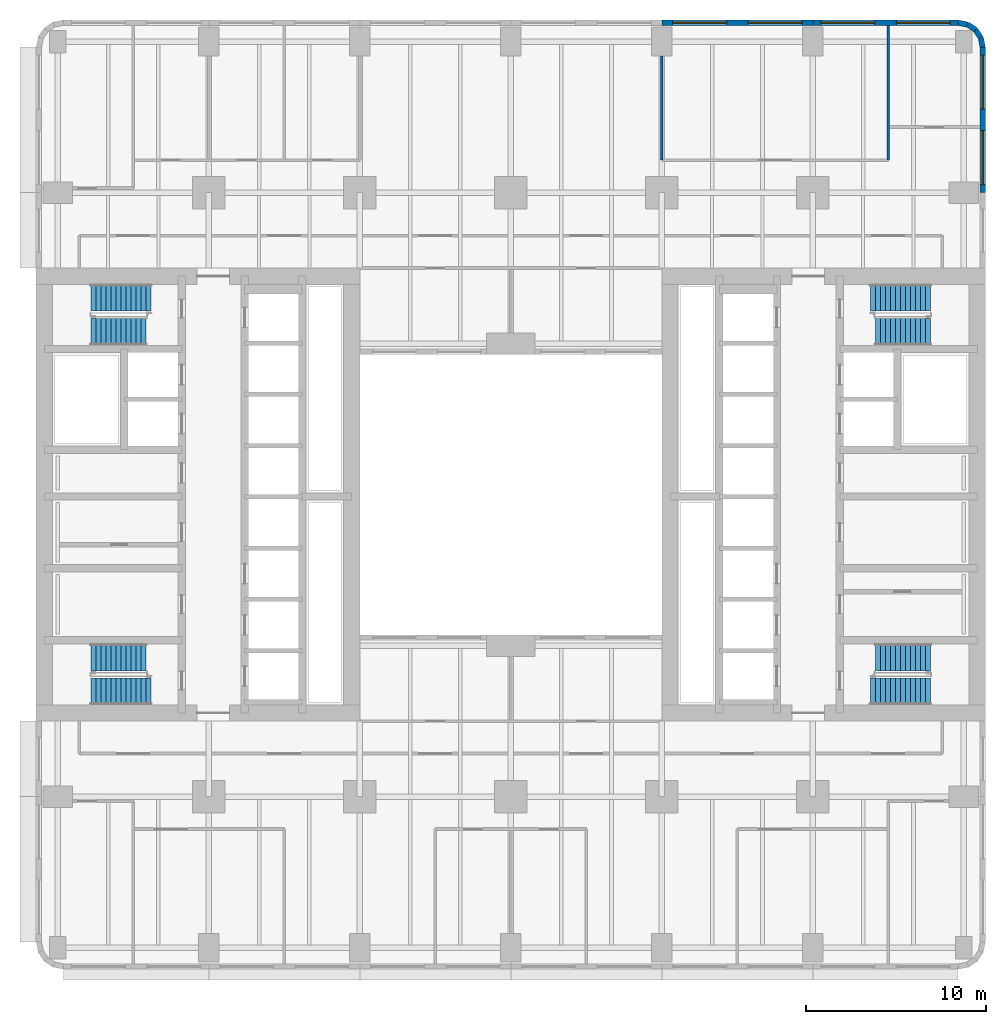
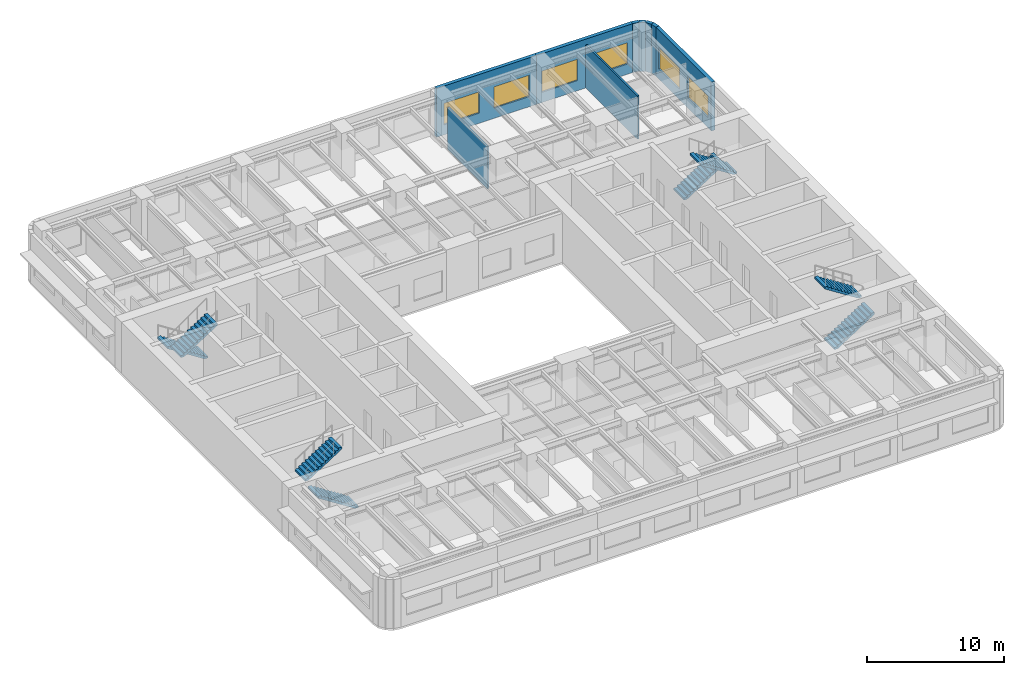
# One storey, part 8 of 14: 9 walls, 8 stair flights, 6 windows, 6 openings, 4 elements without a shape of their own.
"""IFC4 building model written with IfcOpenShell, lengths in metres."""

from ifc_helpers import new_model, si_unit, direction, frame, frame_2d, origin, place, context, subcontext, project, spatial, polyline, rectangle, outline, extrude, material, layer, layer_set, type_object, element, fill, aggregate, save


model = new_model("IFC4")

# Units and contexts
model_context = context("Model", 3, precision=1e-05, world=origin(), true_north=direction((0.0, 1.0)))
body_context = subcontext(model_context, "Body", "Model", "MODEL_VIEW")
ifc_project = project(units=[si_unit("LENGTHUNIT", "METRE"), si_unit("AREAUNIT", "SQUARE_METRE"), si_unit("VOLUMEUNIT", "CUBIC_METRE"), si_unit("PLANEANGLEUNIT", "RADIAN"), si_unit("MASSUNIT", "GRAM", prefix="KILO")], contexts=[model_context])

# Site, building, storey
site_placement = place(None, origin())
site = spatial("IfcSite", under=ifc_project, at=site_placement, CompositionType="ELEMENT")
building_placement = place(site_placement, origin())
building = spatial("IfcBuilding", under=site, at=building_placement, Name="Claustro Exchange Tower", CompositionType="ELEMENT")
storey_placement = place(building_placement, frame((0.0, 0.0, 77.39990234375)))
storey = spatial("IfcBuildingStorey", under=building, at=storey_placement, Name="L17", CompositionType="ELEMENT", Elevation=77.39990234375)

# Walls
ifc_material_1 = material(Name="Gypsum board on steel studs", Category="steel")
ifc_layer_1 = layer(ifc_material_1, 0.14990234375)
ifc_layer_set_1 = layer_set([ifc_layer_1], Name="Gypsum board on steel studs")
wall_type_1 = type_object("IfcWallType", Name="P1 150 plasterboard partition", PredefinedType="PARTITIONING", material=ifc_layer_set_1)
wall_1_placement = place(storey_placement, frame((33.60009765625, 43.800048828125, 0.0), z_axis=(0.0, 0.0, 1.0), x_axis=(0.0, 1.0, 0.0)))
element("IfcWall", 1, at=wall_1_placement, inside=storey, type_object=wall_type_1, Name="Partition P1 L17", PredefinedType="PARTITIONING", context=body_context, shape_type="SweptSolid", body=[
    extrude(rectangle(XDim=5.801025390625, YDim=0.14990234375, at=frame_2d((2.900390625, 0.0))), origin(), (0.0, 0.0, 1.0), 3.739990234375),
])
wall_2_placement = place(storey_placement, frame((46.199951171875, 43.800048828125, 0.0), z_axis=(0.0, 0.0, 1.0), x_axis=(0.0, 1.0, 0.0)))
element("IfcWall", 2, at=wall_2_placement, inside=storey, type_object=wall_type_1, Name="Partition P1 L17", PredefinedType="PARTITIONING", context=body_context, shape_type="SweptSolid", body=[
    extrude(rectangle(XDim=7.501953125, YDim=0.14990234375, at=frame_2d((3.7509765625, 0.0))), origin(), (0.0, 0.0, 1.0), 3.840087890625),
])

# Wall, openings, windows
ifc_material_2 = material(Name="Concrete HA-40 (C40/50), precast, white cement, acid-etched", Category="concrete")
ifc_layer_2 = layer(ifc_material_2, 0.300048828125)
ifc_layer_set_2 = layer_set([ifc_layer_2], Name="Concrete HA-40 (C40/50), precast, white cement, acid-etched")
wall_type_2 = type_object("IfcWallType", Name="PC1 300 precast concrete pier panel", PredefinedType="SOLIDWALL", material=ifc_layer_set_2)
wall_3_placement = place(storey_placement, frame((33.60009765625, 51.449951171875, 0.0), z_axis=(0.0, 0.0, 1.0), x_axis=(1.0, 0.0, 0.0)))
wall_3 = element("IfcWall", 3, at=wall_3_placement, inside=storey, type_object=wall_type_2, Name="Precast pier panel PC1 L17", PredefinedType="SOLIDWALL", context=body_context, shape_type="SweptSolid", body=[
    extrude(rectangle(XDim=8.39990234375, YDim=0.300048828125, at=frame_2d((4.199951171875, 0.0))), origin(), (0.0, 0.0, 1.0), 4.340087890625),
])
opening_1_placement = place(wall_3_placement, frame((0.60009765625, 0.0, 0.89990234375)))
opening_1 = element("IfcOpeningElement", 4, at=opening_1_placement, cuts=wall_3, Name="Opening W1", PredefinedType="OPENING", context=body_context, shape_type="SweptSolid", body=[
    extrude(rectangle(XDim=3.0, YDim=1.89990234375, at=frame_2d((1.5, 0.949951171875))), frame((0.0, 0.159912109375, 0.0), z_axis=(0.0, -1.0, 0.0), x_axis=(1.0, 0.0, 0.0)), (0.0, 0.0, 1.0), 0.320068359375),
])
opening_2_placement = place(wall_3_placement, frame((4.800048828125, 0.0, 0.89990234375)))
opening_2 = element("IfcOpeningElement", 5, at=opening_2_placement, cuts=wall_3, Name="Opening W1", PredefinedType="OPENING", context=body_context, shape_type="SweptSolid", body=[
    extrude(rectangle(XDim=3.0, YDim=1.89990234375, at=frame_2d((1.5, 0.949951171875))), frame((0.0, 0.159912109375, 0.0), z_axis=(0.0, -1.0, 0.0), x_axis=(1.0, 0.0, 0.0)), (0.0, 0.0, 1.0), 0.320068359375),
])
ifc_material_3 = material(Name="Aluminium frame, clear double glazing", Category="aluminium")
window_type = type_object("IfcWindowType", Name="W1 3000 x 1900 window", PartitioningType="SINGLE_PANEL", PredefinedType="WINDOW", material=ifc_material_3)
window_1_placement = place(opening_1_placement, origin())
window_1 = element("IfcWindow", 6, at=window_1_placement, inside=storey, type_object=window_type, Name="Window W1 L17", OverallHeight=1.89990234375, OverallWidth=3.0, PartitioningType="SINGLE_PANEL", PredefinedType="WINDOW", context=body_context, shape_type="SweptSolid", body=[
    extrude(rectangle(XDim=3.0, YDim=1.89990234375, at=frame_2d((1.5, 0.949951171875))), frame((0.0, 0.030029296875, 0.0), z_axis=(0.0, -1.0, 0.0), x_axis=(1.0, 0.0, 0.0)), (0.0, 0.0, 1.0), 0.06005859375),
])
fill(opening_1, window_1)
window_2_placement = place(opening_2_placement, origin())
window_2 = element("IfcWindow", 7, at=window_2_placement, inside=storey, type_object=window_type, Name="Window W1 L17", OverallHeight=1.89990234375, OverallWidth=3.0, PartitioningType="SINGLE_PANEL", PredefinedType="WINDOW", context=body_context, shape_type="SweptSolid", body=[
    extrude(rectangle(XDim=3.0, YDim=1.89990234375, at=frame_2d((1.5, 0.949951171875))), frame((0.0, 0.030029296875, 0.0), z_axis=(0.0, -1.0, 0.0), x_axis=(1.0, 0.0, 0.0)), (0.0, 0.0, 1.0), 0.06005859375),
])
fill(opening_2, window_2)

wall_4_placement = place(storey_placement, frame((42.0, 51.449951171875, 0.0), z_axis=(0.0, 0.0, 1.0), x_axis=(1.0, 0.0, 0.0)))
wall_4 = element("IfcWall", 8, at=wall_4_placement, inside=storey, type_object=wall_type_2, Name="Precast pier panel PC1 L17", PredefinedType="SOLIDWALL", context=body_context, shape_type="SweptSolid", body=[
    extrude(rectangle(XDim=8.085205078125, YDim=0.300048828125, at=frame_2d((4.04248046875, 0.0))), origin(), (0.0, 0.0, 1.0), 4.340087890625),
])
opening_3_placement = place(wall_4_placement, frame((0.442626953125, 0.0, 0.89990234375)))
opening_3 = element("IfcOpeningElement", 9, at=opening_3_placement, cuts=wall_4, Name="Opening W1", PredefinedType="OPENING", context=body_context, shape_type="SweptSolid", body=[
    extrude(rectangle(XDim=3.0, YDim=1.89990234375, at=frame_2d((1.5, 0.949951171875))), frame((0.0, 0.159912109375, 0.0), z_axis=(0.0, -1.0, 0.0), x_axis=(1.0, 0.0, 0.0)), (0.0, 0.0, 1.0), 0.320068359375),
])
opening_4_placement = place(wall_4_placement, frame((4.642578125, 0.0, 0.89990234375)))
opening_4 = element("IfcOpeningElement", 10, at=opening_4_placement, cuts=wall_4, Name="Opening W1", PredefinedType="OPENING", context=body_context, shape_type="SweptSolid", body=[
    extrude(rectangle(XDim=3.0, YDim=1.89990234375, at=frame_2d((1.5, 0.949951171875))), frame((0.0, 0.159912109375, 0.0), z_axis=(0.0, -1.0, 0.0), x_axis=(1.0, 0.0, 0.0)), (0.0, 0.0, 1.0), 0.320068359375),
])
window_3_placement = place(opening_3_placement, origin())
window_3 = element("IfcWindow", 11, at=window_3_placement, inside=storey, type_object=window_type, Name="Window W1 L17", OverallHeight=1.89990234375, OverallWidth=3.0, PartitioningType="SINGLE_PANEL", PredefinedType="WINDOW", context=body_context, shape_type="SweptSolid", body=[
    extrude(rectangle(XDim=3.0, YDim=1.89990234375, at=frame_2d((1.5, 0.949951171875))), frame((0.0, 0.030029296875, 0.0), z_axis=(0.0, -1.0, 0.0), x_axis=(1.0, 0.0, 0.0)), (0.0, 0.0, 1.0), 0.06005859375),
])
fill(opening_3, window_3)
window_4_placement = place(opening_4_placement, origin())
window_4 = element("IfcWindow", 12, at=window_4_placement, inside=storey, type_object=window_type, Name="Window W1 L17", OverallHeight=1.89990234375, OverallWidth=3.0, PartitioningType="SINGLE_PANEL", PredefinedType="WINDOW", context=body_context, shape_type="SweptSolid", body=[
    extrude(rectangle(XDim=3.0, YDim=1.89990234375, at=frame_2d((1.5, 0.949951171875))), frame((0.0, 0.030029296875, 0.0), z_axis=(0.0, -1.0, 0.0), x_axis=(1.0, 0.0, 0.0)), (0.0, 0.0, 1.0), 0.06005859375),
])
fill(opening_4, window_4)

# Walls
wall_5_placement = place(storey_placement, frame((50.085205078125, 51.449951171875, 0.0), z_axis=(0.0, 0.0, 1.0), x_axis=(0.980788534345, -0.195073962632, 0.0)))
element("IfcWall", 13, at=wall_5_placement, inside=storey, type_object=wall_type_2, Name="Precast pier panel PC1 L17", PredefinedType="SOLIDWALL", context=body_context, shape_type="SweptSolid", body=[
    extrude(rectangle(XDim=0.540771484375, YDim=0.300048828125, at=frame_2d((0.2705078125, 0.0))), origin(), (0.0, 0.0, 1.0), 4.340087890625),
])
for number, where, z_axis, x_axis, name in (
    (14, (50.615478515625, 51.344482421875, 0.0), (0.0, 0.0, 1.0), (0.831478144188, -0.555557463938, 0.0), "Precast pier panel PC1 L17"),
    (15, (51.052490234375, 51.052490234375, 0.0), (0.0, 0.0, 1.0), (0.555557463938, -0.831478144188, 0.0), "Precast pier panel PC1 L17"),
):
    element("IfcWall", number, at=place(storey_placement, frame(where, z_axis=z_axis, x_axis=x_axis)), inside=storey, type_object=wall_type_2, Name=name, PredefinedType="SOLIDWALL", context=body_context, shape_type="SweptSolid", body=[
        extrude(rectangle(XDim=0.525634765625, YDim=0.300048828125, at=frame_2d((0.2626953125, 0.0))), origin(), (0.0, 0.0, 1.0), 4.340087890625),
    ])
wall_6_placement = place(storey_placement, frame((51.344482421875, 50.615478515625, 0.0), z_axis=(0.0, 0.0, 1.0), x_axis=(0.195073962632, -0.980788534345, 0.0)))
element("IfcWall", 16, at=wall_6_placement, inside=storey, type_object=wall_type_2, Name="Precast pier panel PC1 L17", PredefinedType="SOLIDWALL", context=body_context, shape_type="SweptSolid", body=[
    extrude(rectangle(XDim=0.540771484375, YDim=0.300048828125, at=frame_2d((0.2705078125, 0.0))), origin(), (0.0, 0.0, 1.0), 4.340087890625),
])

# Wall, openings, windows
wall_7_placement = place(storey_placement, frame((51.449951171875, 50.085205078125, 0.0), z_axis=(0.0, 0.0, 1.0), x_axis=(0.0, -1.0, 0.0)))
wall_7 = element("IfcWall", 17, at=wall_7_placement, inside=storey, type_object=wall_type_2, Name="Precast pier panel PC1 L17", PredefinedType="SOLIDWALL", context=body_context, shape_type="SweptSolid", body=[
    extrude(rectangle(XDim=8.085205078125, YDim=0.300048828125, at=frame_2d((4.04248046875, 0.0))), origin(), (0.0, 0.0, 1.0), 4.340087890625),
])
opening_5_placement = place(wall_7_placement, frame((0.442626953125, 0.0, 0.89990234375)))
opening_5 = element("IfcOpeningElement", 18, at=opening_5_placement, cuts=wall_7, Name="Opening W1", PredefinedType="OPENING", context=body_context, shape_type="SweptSolid", body=[
    extrude(rectangle(XDim=3.0, YDim=1.89990234375, at=frame_2d((1.5, 0.949951171875))), frame((0.0, 0.159912109375, 0.0), z_axis=(0.0, -1.0, 0.0), x_axis=(1.0, 0.0, 0.0)), (0.0, 0.0, 1.0), 0.320068359375),
])
opening_6_placement = place(wall_7_placement, frame((4.642578125, 0.0, 0.89990234375)))
opening_6 = element("IfcOpeningElement", 19, at=opening_6_placement, cuts=wall_7, Name="Opening W1", PredefinedType="OPENING", context=body_context, shape_type="SweptSolid", body=[
    extrude(rectangle(XDim=3.0, YDim=1.89990234375, at=frame_2d((1.5, 0.949951171875))), frame((0.0, 0.159912109375, 0.0), z_axis=(0.0, -1.0, 0.0), x_axis=(1.0, 0.0, 0.0)), (0.0, 0.0, 1.0), 0.320068359375),
])
window_5_placement = place(opening_5_placement, origin())
window_5 = element("IfcWindow", 20, at=window_5_placement, inside=storey, type_object=window_type, Name="Window W1 L17", OverallHeight=1.89990234375, OverallWidth=3.0, PartitioningType="SINGLE_PANEL", PredefinedType="WINDOW", context=body_context, shape_type="SweptSolid", body=[
    extrude(rectangle(XDim=3.0, YDim=1.89990234375, at=frame_2d((1.5, 0.949951171875))), frame((0.0, 0.030029296875, 0.0), z_axis=(0.0, -1.0, 0.0), x_axis=(1.0, 0.0, 0.0)), (0.0, 0.0, 1.0), 0.06005859375),
])
fill(opening_5, window_5)
window_6_placement = place(opening_6_placement, origin())
window_6 = element("IfcWindow", 21, at=window_6_placement, inside=storey, type_object=window_type, Name="Window W1 L17", OverallHeight=1.89990234375, OverallWidth=3.0, PartitioningType="SINGLE_PANEL", PredefinedType="WINDOW", context=body_context, shape_type="SweptSolid", body=[
    extrude(rectangle(XDim=3.0, YDim=1.89990234375, at=frame_2d((1.5, 0.949951171875))), frame((0.0, 0.030029296875, 0.0), z_axis=(0.0, -1.0, 0.0), x_axis=(1.0, 0.0, 0.0)), (0.0, 0.0, 1.0), 0.06005859375),
])
fill(opening_6, window_6)

# Stair, stair flight
ifc_material_4 = material(Name="Concrete HA-30 (C30/37), precast", Category="concrete")
stair_type = type_object("IfcStairType", Name="ST2 half-turn stair, 25 risers of 180", PredefinedType="HALF_TURN_STAIR", material=ifc_material_4)
stair_1_placement = place(storey_placement, origin())
stair_1 = element("IfcStair", 22, at=stair_1_placement, inside=storey, type_object=stair_type, Name="Stair STWA L17", PredefinedType="HALF_TURN_STAIR")
ifc_material_5 = material(Name="Concrete HA-30 (C30/37), precast", Category="concrete")
stair_flight_type_1 = type_object("IfcStairFlightType", Name="SF12B straight flight, 12 risers of 180, 1500 wide", PredefinedType="STRAIGHT", material=ifc_material_5)
stair_flight_1_placement = place(storey_placement, frame((1.840087890625, 16.14990234375, 2.340087890625), z_axis=(0.0, 0.0, 1.0), x_axis=(1.0, 0.0, 0.0)))
stair_flight_1 = element("IfcStairFlight", 23, at=stair_flight_1_placement, type_object=stair_flight_type_1, Name="STWA flight 2", NumberOfRisers=12, NumberOfTreads=11, PredefinedType="STRAIGHT", RiserHeight=0.18, TreadLength=0.28, context=body_context, shape_type="SweptSolid", body=[
    extrude(outline(polyline([(0.0, 0.0), (0.0, 0.179931640625), (0.280029296875, 0.179931640625), (0.280029296875, 0.360107421875), (0.56005859375, 0.360107421875), (0.56005859375, 0.5400390625), (0.840087890625, 0.5400390625), (0.840087890625, 0.719970703125), (1.1201171875, 0.719970703125), (1.1201171875, 0.89990234375), (1.39990234375, 0.89990234375), (1.39990234375, 1.080078125), (1.679931640625, 1.080078125), (1.679931640625, 1.260009765625), (1.9599609375, 1.260009765625), (1.9599609375, 1.43994140625), (2.239990234375, 1.43994140625), (2.239990234375, 1.6201171875), (2.52001953125, 1.6201171875), (2.52001953125, 1.800048828125), (2.800048828125, 1.800048828125), (2.800048828125, 1.97998046875), (3.080078125, 1.97998046875), (3.080078125, 2.159912109375), (3.080078125, 1.8017578125), (0.277099609375, 0.0), (0.0, 0.0)])), frame((0.0, 0.75, 0.0), z_axis=(0.0, -1.0, 0.0), x_axis=(1.0, 0.0, 0.0)), (0.0, 0.0, 1.0), 1.5),
])

stair_2_placement = place(storey_placement, origin())
stair_2 = element("IfcStair", 24, at=stair_2_placement, inside=storey, type_object=stair_type, Name="Stair STWB L17", PredefinedType="HALF_TURN_STAIR")
stair_flight_2_placement = place(storey_placement, frame((1.840087890625, 34.25, 2.340087890625), z_axis=(0.0, 0.0, 1.0), x_axis=(1.0, 0.0, 0.0)))
stair_flight_2 = element("IfcStairFlight", 25, at=stair_flight_2_placement, type_object=stair_flight_type_1, Name="STWB flight 2", NumberOfRisers=12, NumberOfTreads=11, PredefinedType="STRAIGHT", RiserHeight=0.18, TreadLength=0.28, context=body_context, shape_type="SweptSolid", body=[
    extrude(outline(polyline([(0.0, 0.0), (0.0, 0.179931640625), (0.280029296875, 0.179931640625), (0.280029296875, 0.360107421875), (0.56005859375, 0.360107421875), (0.56005859375, 0.5400390625), (0.840087890625, 0.5400390625), (0.840087890625, 0.719970703125), (1.1201171875, 0.719970703125), (1.1201171875, 0.89990234375), (1.39990234375, 0.89990234375), (1.39990234375, 1.080078125), (1.679931640625, 1.080078125), (1.679931640625, 1.260009765625), (1.9599609375, 1.260009765625), (1.9599609375, 1.43994140625), (2.239990234375, 1.43994140625), (2.239990234375, 1.6201171875), (2.52001953125, 1.6201171875), (2.52001953125, 1.800048828125), (2.800048828125, 1.800048828125), (2.800048828125, 1.97998046875), (3.080078125, 1.97998046875), (3.080078125, 2.159912109375), (3.080078125, 1.8017578125), (0.277099609375, 0.0), (0.0, 0.0)])), frame((0.0, 0.75, 0.0), z_axis=(0.0, -1.0, 0.0), x_axis=(1.0, 0.0, 0.0)), (0.0, 0.0, 1.0), 1.5),
])

stair_3_placement = place(storey_placement, origin())
stair_3 = element("IfcStair", 26, at=stair_3_placement, inside=storey, type_object=stair_type, Name="Stair STEA L17", PredefinedType="HALF_TURN_STAIR")
stair_flight_3_placement = place(storey_placement, frame((48.56005859375, 16.14990234375, 2.340087890625), z_axis=(0.0, 0.0, 1.0), x_axis=(-1.0, 0.0, 0.0)))
stair_flight_3 = element("IfcStairFlight", 27, at=stair_flight_3_placement, type_object=stair_flight_type_1, Name="STEA flight 2", NumberOfRisers=12, NumberOfTreads=11, PredefinedType="STRAIGHT", RiserHeight=0.18, TreadLength=0.28, context=body_context, shape_type="SweptSolid", body=[
    extrude(outline(polyline([(0.0, 0.0), (0.0, 0.179931640625), (0.280029296875, 0.179931640625), (0.280029296875, 0.360107421875), (0.56005859375, 0.360107421875), (0.56005859375, 0.5400390625), (0.840087890625, 0.5400390625), (0.840087890625, 0.719970703125), (1.1201171875, 0.719970703125), (1.1201171875, 0.89990234375), (1.39990234375, 0.89990234375), (1.39990234375, 1.080078125), (1.679931640625, 1.080078125), (1.679931640625, 1.260009765625), (1.9599609375, 1.260009765625), (1.9599609375, 1.43994140625), (2.239990234375, 1.43994140625), (2.239990234375, 1.6201171875), (2.52001953125, 1.6201171875), (2.52001953125, 1.800048828125), (2.800048828125, 1.800048828125), (2.800048828125, 1.97998046875), (3.080078125, 1.97998046875), (3.080078125, 2.159912109375), (3.080078125, 1.8017578125), (0.277099609375, 0.0), (0.0, 0.0)])), frame((0.0, 0.75, 0.0), z_axis=(0.0, -1.0, 0.0), x_axis=(1.0, 0.0, 0.0)), (0.0, 0.0, 1.0), 1.5),
])

stair_4_placement = place(storey_placement, origin())
stair_4 = element("IfcStair", 28, at=stair_4_placement, inside=storey, type_object=stair_type, Name="Stair STEB L17", PredefinedType="HALF_TURN_STAIR")
stair_flight_4_placement = place(storey_placement, frame((48.56005859375, 34.25, 2.340087890625), z_axis=(0.0, 0.0, 1.0), x_axis=(-1.0, 0.0, 0.0)))
stair_flight_4 = element("IfcStairFlight", 29, at=stair_flight_4_placement, type_object=stair_flight_type_1, Name="STEB flight 2", NumberOfRisers=12, NumberOfTreads=11, PredefinedType="STRAIGHT", RiserHeight=0.18, TreadLength=0.28, context=body_context, shape_type="SweptSolid", body=[
    extrude(outline(polyline([(0.0, 0.0), (0.0, 0.179931640625), (0.280029296875, 0.179931640625), (0.280029296875, 0.360107421875), (0.56005859375, 0.360107421875), (0.56005859375, 0.5400390625), (0.840087890625, 0.5400390625), (0.840087890625, 0.719970703125), (1.1201171875, 0.719970703125), (1.1201171875, 0.89990234375), (1.39990234375, 0.89990234375), (1.39990234375, 1.080078125), (1.679931640625, 1.080078125), (1.679931640625, 1.260009765625), (1.9599609375, 1.260009765625), (1.9599609375, 1.43994140625), (2.239990234375, 1.43994140625), (2.239990234375, 1.6201171875), (2.52001953125, 1.6201171875), (2.52001953125, 1.800048828125), (2.800048828125, 1.800048828125), (2.800048828125, 1.97998046875), (3.080078125, 1.97998046875), (3.080078125, 2.159912109375), (3.080078125, 1.8017578125), (0.277099609375, 0.0), (0.0, 0.0)])), frame((0.0, 0.75, 0.0), z_axis=(0.0, -1.0, 0.0), x_axis=(1.0, 0.0, 0.0)), (0.0, 0.0, 1.0), 1.5),
])

# Stair flight
ifc_material_6 = material(Name="Concrete HA-30 (C30/37), precast", Category="concrete")
stair_flight_type_2 = type_object("IfcStairFlightType", Name="SF13 straight flight, 13 risers of 180, 1500 wide", PredefinedType="STRAIGHT", material=ifc_material_6)
stair_flight_5_placement = place(storey_placement, frame((5.199951171875, 14.25, 0.0), z_axis=(0.0, 0.0, 1.0), x_axis=(-1.0, 0.0, 0.0)))
stair_flight_5 = element("IfcStairFlight", 30, at=stair_flight_5_placement, type_object=stair_flight_type_2, Name="STWA flight 1", NumberOfRisers=13, NumberOfTreads=12, PredefinedType="STRAIGHT", RiserHeight=0.18, TreadLength=0.28, context=body_context, shape_type="SweptSolid", body=[
    extrude(outline(polyline([(0.0, 0.0), (0.0, 0.179931640625), (0.280029296875, 0.179931640625), (0.280029296875, 0.360107421875), (0.56005859375, 0.360107421875), (0.56005859375, 0.5400390625), (0.840087890625, 0.5400390625), (0.840087890625, 0.719970703125), (1.1201171875, 0.719970703125), (1.1201171875, 0.89990234375), (1.39990234375, 0.89990234375), (1.39990234375, 1.080078125), (1.679931640625, 1.080078125), (1.679931640625, 1.260009765625), (1.9599609375, 1.260009765625), (1.9599609375, 1.43994140625), (2.239990234375, 1.43994140625), (2.239990234375, 1.6201171875), (2.52001953125, 1.6201171875), (2.52001953125, 1.800048828125), (2.800048828125, 1.800048828125), (2.800048828125, 1.97998046875), (3.080078125, 1.97998046875), (3.080078125, 2.159912109375), (3.360107421875, 2.159912109375), (3.360107421875, 2.340087890625), (3.360107421875, 1.981689453125), (0.277099609375, 0.0), (0.0, 0.0)])), frame((0.0, 0.75, 0.0), z_axis=(0.0, -1.0, 0.0), x_axis=(1.0, 0.0, 0.0)), (0.0, 0.0, 1.0), 1.5),
])

aggregate(stair_1, [stair_flight_5, stair_flight_1])

stair_flight_6_placement = place(storey_placement, frame((5.199951171875, 36.14990234375, 0.0), z_axis=(0.0, 0.0, 1.0), x_axis=(-1.0, 0.0, 0.0)))
stair_flight_6 = element("IfcStairFlight", 31, at=stair_flight_6_placement, type_object=stair_flight_type_2, Name="STWB flight 1", NumberOfRisers=13, NumberOfTreads=12, PredefinedType="STRAIGHT", RiserHeight=0.18, TreadLength=0.28, context=body_context, shape_type="SweptSolid", body=[
    extrude(outline(polyline([(0.0, 0.0), (0.0, 0.179931640625), (0.280029296875, 0.179931640625), (0.280029296875, 0.360107421875), (0.56005859375, 0.360107421875), (0.56005859375, 0.5400390625), (0.840087890625, 0.5400390625), (0.840087890625, 0.719970703125), (1.1201171875, 0.719970703125), (1.1201171875, 0.89990234375), (1.39990234375, 0.89990234375), (1.39990234375, 1.080078125), (1.679931640625, 1.080078125), (1.679931640625, 1.260009765625), (1.9599609375, 1.260009765625), (1.9599609375, 1.43994140625), (2.239990234375, 1.43994140625), (2.239990234375, 1.6201171875), (2.52001953125, 1.6201171875), (2.52001953125, 1.800048828125), (2.800048828125, 1.800048828125), (2.800048828125, 1.97998046875), (3.080078125, 1.97998046875), (3.080078125, 2.159912109375), (3.360107421875, 2.159912109375), (3.360107421875, 2.340087890625), (3.360107421875, 1.981689453125), (0.277099609375, 0.0), (0.0, 0.0)])), frame((0.0, 0.75, 0.0), z_axis=(0.0, -1.0, 0.0), x_axis=(1.0, 0.0, 0.0)), (0.0, 0.0, 1.0), 1.5),
])

aggregate(stair_2, [stair_flight_6, stair_flight_2])

stair_flight_7_placement = place(storey_placement, frame((45.199951171875, 14.25, 0.0), z_axis=(0.0, 0.0, 1.0), x_axis=(1.0, 0.0, 0.0)))
stair_flight_7 = element("IfcStairFlight", 32, at=stair_flight_7_placement, type_object=stair_flight_type_2, Name="STEA flight 1", NumberOfRisers=13, NumberOfTreads=12, PredefinedType="STRAIGHT", RiserHeight=0.18, TreadLength=0.28, context=body_context, shape_type="SweptSolid", body=[
    extrude(outline(polyline([(0.0, 0.0), (0.0, 0.179931640625), (0.280029296875, 0.179931640625), (0.280029296875, 0.360107421875), (0.56005859375, 0.360107421875), (0.56005859375, 0.5400390625), (0.840087890625, 0.5400390625), (0.840087890625, 0.719970703125), (1.1201171875, 0.719970703125), (1.1201171875, 0.89990234375), (1.39990234375, 0.89990234375), (1.39990234375, 1.080078125), (1.679931640625, 1.080078125), (1.679931640625, 1.260009765625), (1.9599609375, 1.260009765625), (1.9599609375, 1.43994140625), (2.239990234375, 1.43994140625), (2.239990234375, 1.6201171875), (2.52001953125, 1.6201171875), (2.52001953125, 1.800048828125), (2.800048828125, 1.800048828125), (2.800048828125, 1.97998046875), (3.080078125, 1.97998046875), (3.080078125, 2.159912109375), (3.360107421875, 2.159912109375), (3.360107421875, 2.340087890625), (3.360107421875, 1.981689453125), (0.277099609375, 0.0), (0.0, 0.0)])), frame((0.0, 0.75, 0.0), z_axis=(0.0, -1.0, 0.0), x_axis=(1.0, 0.0, 0.0)), (0.0, 0.0, 1.0), 1.5),
])

aggregate(stair_3, [stair_flight_7, stair_flight_3])

stair_flight_8_placement = place(storey_placement, frame((45.199951171875, 36.14990234375, 0.0), z_axis=(0.0, 0.0, 1.0), x_axis=(1.0, 0.0, 0.0)))
stair_flight_8 = element("IfcStairFlight", 33, at=stair_flight_8_placement, type_object=stair_flight_type_2, Name="STEB flight 1", NumberOfRisers=13, NumberOfTreads=12, PredefinedType="STRAIGHT", RiserHeight=0.18, TreadLength=0.28, context=body_context, shape_type="SweptSolid", body=[
    extrude(outline(polyline([(0.0, 0.0), (0.0, 0.179931640625), (0.280029296875, 0.179931640625), (0.280029296875, 0.360107421875), (0.56005859375, 0.360107421875), (0.56005859375, 0.5400390625), (0.840087890625, 0.5400390625), (0.840087890625, 0.719970703125), (1.1201171875, 0.719970703125), (1.1201171875, 0.89990234375), (1.39990234375, 0.89990234375), (1.39990234375, 1.080078125), (1.679931640625, 1.080078125), (1.679931640625, 1.260009765625), (1.9599609375, 1.260009765625), (1.9599609375, 1.43994140625), (2.239990234375, 1.43994140625), (2.239990234375, 1.6201171875), (2.52001953125, 1.6201171875), (2.52001953125, 1.800048828125), (2.800048828125, 1.800048828125), (2.800048828125, 1.97998046875), (3.080078125, 1.97998046875), (3.080078125, 2.159912109375), (3.360107421875, 2.159912109375), (3.360107421875, 2.340087890625), (3.360107421875, 1.981689453125), (0.277099609375, 0.0), (0.0, 0.0)])), frame((0.0, 0.75, 0.0), z_axis=(0.0, -1.0, 0.0), x_axis=(1.0, 0.0, 0.0)), (0.0, 0.0, 1.0), 1.5),
])

aggregate(stair_4, [stair_flight_8, stair_flight_4])

save(model, "model.ifc")
